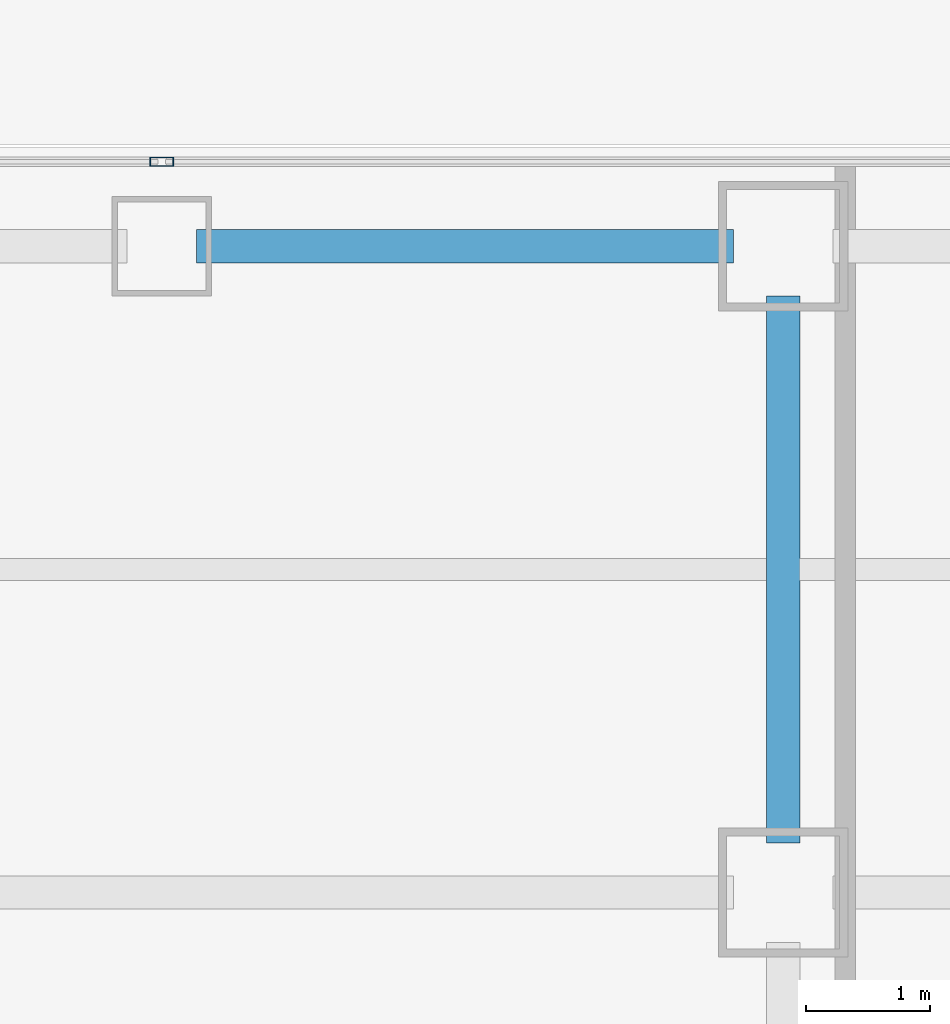
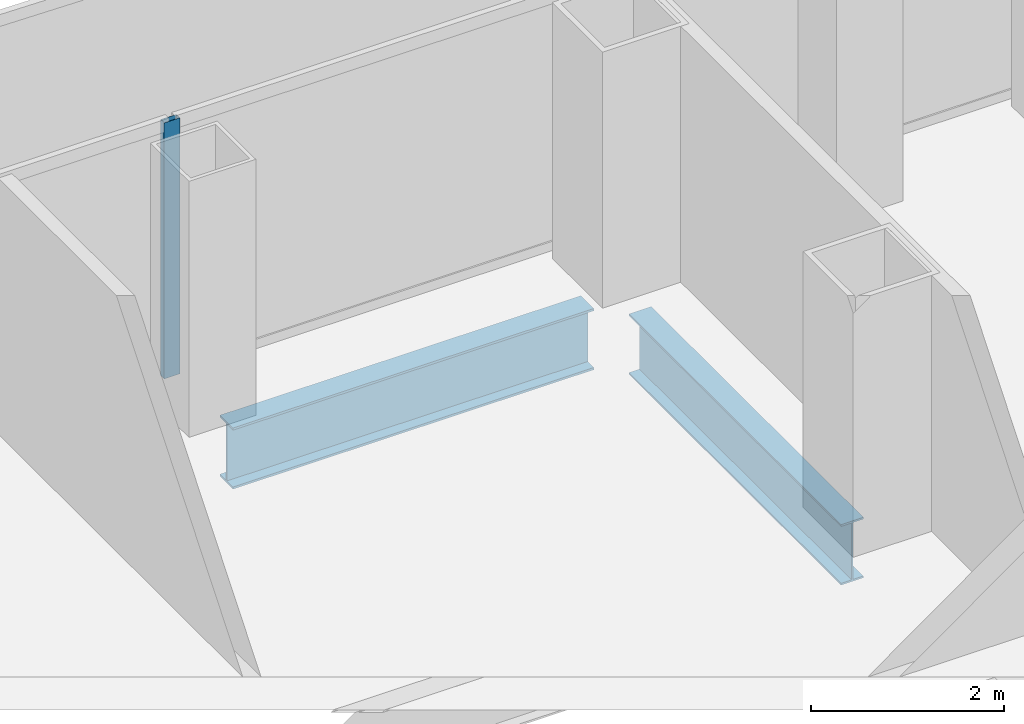
# One storey, part 13 of 22: 2 beams, 1 member, 1 element without a shape of its own.
"""IFC4 building model written with IfcOpenShell, lengths in metres."""

from ifc_helpers import new_model, si_unit, direction, frame, origin, origin_2d, place, context, subcontext, project, spatial, hollow_rectangle, i_section, extrude, source, transform, mapped, material, layer, layer_set, material_profile, profile_set, type_object, element, aggregate, save


model = new_model("IFC4")

# Units and contexts
model_context = context("Model", 3, precision=1e-05, world=origin(), true_north=direction((0.0, 1.0)))
body_context = subcontext(model_context, "Body", "Model", "MODEL_VIEW")
ifc_project = project(units=[si_unit("LENGTHUNIT", "METRE"), si_unit("AREAUNIT", "SQUARE_METRE"), si_unit("VOLUMEUNIT", "CUBIC_METRE"), si_unit("PLANEANGLEUNIT", "RADIAN"), si_unit("MASSUNIT", "GRAM", prefix="KILO")], contexts=[model_context])

# Site, building, storey
site_placement = place(None, origin())
site = spatial("IfcSite", under=ifc_project, at=site_placement, CompositionType="ELEMENT")
building_placement = place(site_placement, origin())
building = spatial("IfcBuilding", under=site, at=building_placement, Name="Kolveth Station Tower", CompositionType="ELEMENT")
storey_placement = place(building_placement, frame((0.0, 0.0, 84.60009765625)))
storey = spatial("IfcBuildingStorey", under=building, at=storey_placement, Name="L22", CompositionType="ELEMENT", Elevation=84.60009765625)

# Beams
ifc_material_1 = material(Name="Steel S355", Category="steel")
ifc_material_profile_1 = material_profile(ifc_material_1, i_section(OverallWidth=0.26904296875, OverallDepth=0.77490234375, WebThickness=0.01708984375, FlangeThickness=0.0283203125, at=origin_2d()), Name="W760x220")
ifc_profile_set_1 = profile_set([ifc_material_profile_1], Name="Steel S355")
beam_type_1 = type_object("IfcBeamType", Name="Beam_SP1", PredefinedType="SPANDREL", material=ifc_profile_set_1)
shared_shape_1 = source(origin(), body_context, "Body", "SweptSolid", [
    extrude(i_section(OverallWidth=0.26904296875, OverallDepth=0.77490234375, WebThickness=0.01708984375, FlangeThickness=0.0283203125, at=origin_2d()), origin(), (0.0, 0.0, 1.0), 4.320068359375),
])
beam_1_placement = place(storey_placement, frame((23.780029296875, 39.699951171875, -0.66748046875), z_axis=(1.0, 0.0, 0.0), x_axis=(0.0, 1.0, 0.0)))
element("IfcBeam", 1, at=beam_1_placement, inside=storey, type_object=beam_type_1, Name="L22 Perimeter Spandrel BM-L22-PN-6", PredefinedType="SPANDREL", context=body_context, shape_type="MappedRepresentation", body=[
    mapped(shared_shape_1, transform((0.0, 0.0, 0.0), x_axis=(1.0, 0.0, 0.0), y_axis=(0.0, 1.0, 0.0), z_axis=(0.0, 0.0, 1.0), scale=1.0)),
])
ifc_material_profile_2 = material_profile(ifc_material_1, i_section(OverallWidth=0.26708984375, OverallDepth=0.76611328125, WebThickness=0.014892578125, FlangeThickness=0.023681640625, at=origin_2d()), Name="W760x185")
ifc_profile_set_2 = profile_set([ifc_material_profile_2], Name="Steel S355")
beam_type_2 = type_object("IfcBeamType", Name="Beam_B3", PredefinedType="BEAM", material=ifc_profile_set_2)
shared_shape_2 = source(origin(), body_context, "Body", "SweptSolid", [
    extrude(i_section(OverallWidth=0.26708984375, OverallDepth=0.76611328125, WebThickness=0.014892578125, FlangeThickness=0.023681640625, at=origin_2d()), origin(), (0.0, 0.0, 1.0), 4.400146484375),
])
beam_2_placement = place(storey_placement, frame((28.5, 34.89990234375, -0.6630859375), z_axis=(0.0, 1.0, 0.0), x_axis=(-1.0, 0.0, 0.0)))
element("IfcBeam", 2, at=beam_2_placement, inside=storey, type_object=beam_type_2, Name="L22 Primary Girder BM-L22-GX285-7", PredefinedType="BEAM", context=body_context, shape_type="MappedRepresentation", body=[
    mapped(shared_shape_2, transform((0.0, 0.0, 0.0), x_axis=(1.0, 0.0, 0.0), y_axis=(0.0, 1.0, 0.0), z_axis=(0.0, 0.0, 1.0), scale=1.0)),
])

# Curtain wall, member
ifc_material_2 = material(Name="Aluminium 6063-T6 and low-E dark glass", Category="aluminium")
ifc_layer = layer(ifc_material_2, 0.179931640625)
ifc_layer_set = layer_set([ifc_layer], Name="Aluminium 6063-T6 and low-E dark glass")
curtain_wall_type = type_object("IfcCurtainWallType", Name="CurtainWall_CW-Z1", PredefinedType="NOTDEFINED", material=ifc_layer_set)
curtain_wall_placement = place(storey_placement, origin())
curtain_wall = element("IfcCurtainWall", 3, at=curtain_wall_placement, inside=storey, type_object=curtain_wall_type, Name="L22 Inner Thermal Curtain Wall 6", PredefinedType="NOTDEFINED")
ifc_material_3 = material(Name="Black anodized aluminium 6063-T6", Category="aluminium")
ifc_material_profile_3 = material_profile(ifc_material_3, hollow_rectangle(XDim=0.074951171875, YDim=0.18994140625, WallThickness=0.0048828125, at=origin_2d()), Name="ALU-75x190x5")
ifc_profile_set_3 = profile_set([ifc_material_profile_3], Name="Black anodized aluminium 6063-T6")
member_type = type_object("IfcMemberType", Name="Mullion_ML1", PredefinedType="MULLION", material=ifc_profile_set_3)
shared_shape_3 = source(origin(), body_context, "Body", "SweptSolid", [
    extrude(hollow_rectangle(XDim=0.074951171875, YDim=0.18994140625, WallThickness=0.0048828125, at=origin_2d()), origin(), (0.0, 0.0, 1.0), 3.239990234375),
])
member_placement = place(storey_placement, frame((23.5, 40.3798828125, 0.0), z_axis=(0.0, 0.0, 1.0), x_axis=(0.0, -1.0, 0.0)))
member = element("IfcMember", 4, at=member_placement, type_object=member_type, Name="CW-Z1 mullion 2", PredefinedType="MULLION", context=body_context, shape_type="MappedRepresentation", body=[
    mapped(shared_shape_3, transform((0.0, 0.0, 0.0), x_axis=(1.0, 0.0, 0.0), y_axis=(0.0, 1.0, 0.0), z_axis=(0.0, 0.0, 1.0), scale=1.0)),
])
aggregate(curtain_wall, [member])

save(model, "model.ifc")
